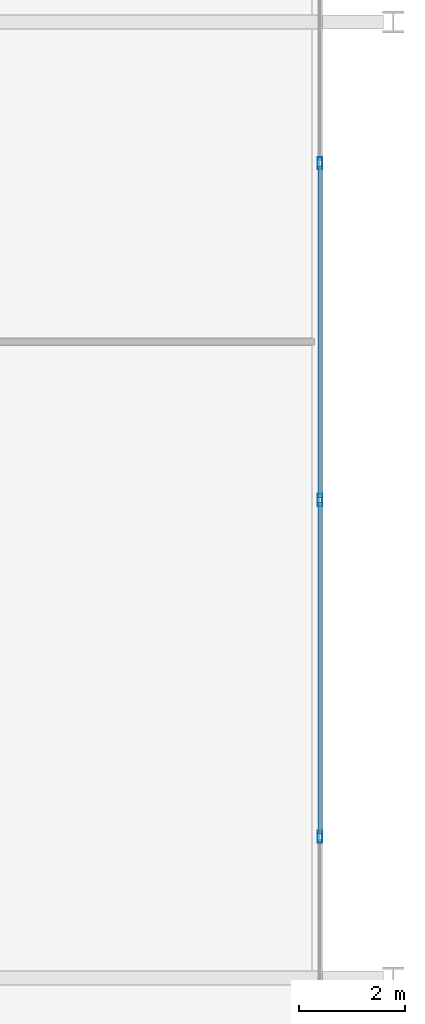
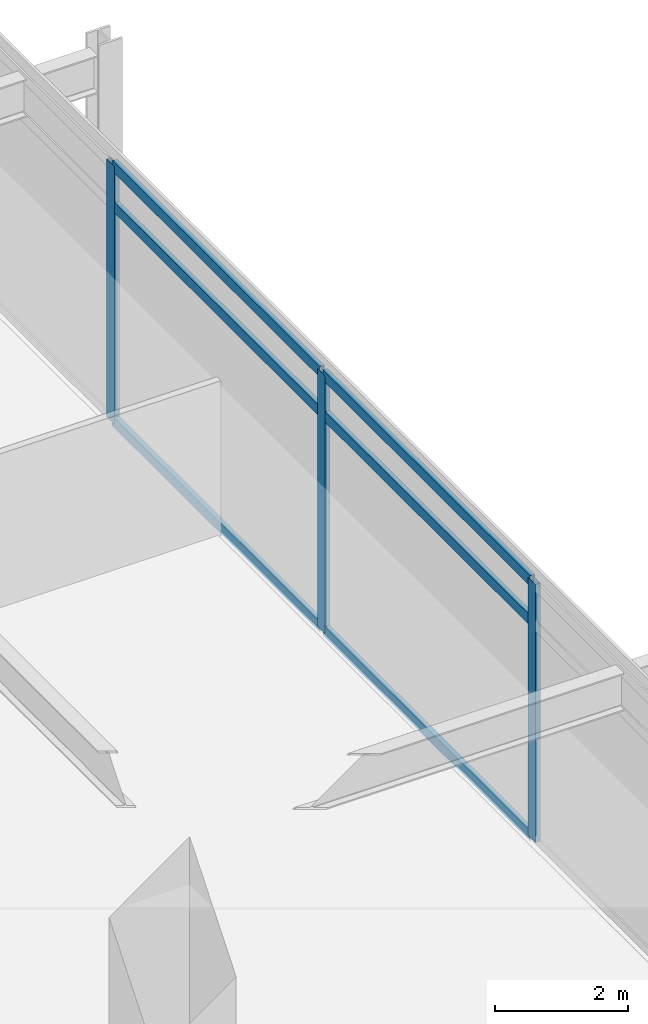
# One storey, part 9 of 21: 9 members, 1 element without a shape of its own.
"""IFC4 building model written with IfcOpenShell, lengths in metres."""

from ifc_helpers import new_model, si_unit, direction, frame, origin, origin_2d, place, context, subcontext, project, spatial, hollow_rectangle, extrude, material, material_profile, profile_set, type_object, element, aggregate, save


model = new_model("IFC4")

# Units and contexts
model_context = context("Model", 3, precision=1e-05, world=origin(), true_north=direction((0.0, 1.0)))
body_context = subcontext(model_context, "Body", "Model", "MODEL_VIEW")
ifc_project = project(units=[si_unit("LENGTHUNIT", "METRE"), si_unit("AREAUNIT", "SQUARE_METRE"), si_unit("VOLUMEUNIT", "CUBIC_METRE"), si_unit("PLANEANGLEUNIT", "RADIAN"), si_unit("MASSUNIT", "GRAM", prefix="KILO")], contexts=[model_context])

# Site, building, storey
site_placement = place(None, origin())
site = spatial("IfcSite", under=ifc_project, at=site_placement, CompositionType="ELEMENT")
building_placement = place(site_placement, origin())
building = spatial("IfcBuilding", under=site, at=building_placement, Name="Kovane Verandah Tower", CompositionType="ELEMENT")
storey_placement = place(building_placement, frame((0.0, 0.0, 238.199951171875)))
storey = spatial("IfcBuildingStorey", under=building, at=storey_placement, Name="L55", CompositionType="ELEMENT", Elevation=238.199951171875)

# Curtain wall, members
ifc_material_1 = material(Name="Champagne Anodised Aluminium Frame with Low-E Clear Laminated Glass", Category="aluminium")
curtain_wall_type = type_object("IfcCurtainWallType", Name="CW-SYS-03-MID", PredefinedType="NOTDEFINED", material=ifc_material_1)
curtain_wall_placement = place(storey_placement, origin())
curtain_wall = element("IfcCurtainWall", 1, at=curtain_wall_placement, inside=storey, type_object=curtain_wall_type, Name="L55 E Unitised Curtain Wall", PredefinedType="NOTDEFINED")
ifc_material_2 = material(Name="Champagne Anodised Aluminium 6063-T6", Category="aluminium")
ifc_material_profile_1 = material_profile(ifc_material_2, hollow_rectangle(XDim=0.0849609375, YDim=0.22998046875, WallThickness=0.00390625, at=origin_2d()), Name="AL85x230x4")
ifc_profile_set_1 = profile_set([ifc_material_profile_1], Name="Champagne Anodised Aluminium 6063-T6")
member_type_1 = type_object("IfcMemberType", Name="CW-MUL-85x230", PredefinedType="MULLION", material=ifc_profile_set_1)
member_1_placement = place(storey_placement, frame((66.220703125, 21.158935546875, 0.02001953125), z_axis=(0.0, 0.0, 1.0), x_axis=(1.0, 0.0, 0.0)))
member_1 = element("IfcMember", 2, at=member_1_placement, type_object=member_type_1, Name="L55 E Unitised Curtain Wall Mullion 3", PredefinedType="MULLION", context=body_context, shape_type="SweptSolid", body=[
    extrude(hollow_rectangle(XDim=0.0849609375, YDim=0.22998046875, WallThickness=0.00390625, at=origin_2d()), origin(), (0.0, 0.0, 1.0), 4.7451171875),
])
member_2_placement = place(storey_placement, frame((66.220703125, 27.5, 0.02001953125), z_axis=(0.0, 0.0, 1.0), x_axis=(1.0, 0.0, 0.0)))
member_2 = element("IfcMember", 3, at=member_2_placement, type_object=member_type_1, Name="L55 E Unitised Curtain Wall Mullion 4", PredefinedType="MULLION", context=body_context, shape_type="SweptSolid", body=[
    extrude(hollow_rectangle(XDim=0.0849609375, YDim=0.22998046875, WallThickness=0.00390625, at=origin_2d()), origin(), (0.0, 0.0, 1.0), 4.7451171875),
])
member_3_placement = place(storey_placement, frame((66.220703125, 33.841064453125, 0.02001953125), z_axis=(0.0, 0.0, 1.0), x_axis=(1.0, 0.0, 0.0)))
member_3 = element("IfcMember", 4, at=member_3_placement, type_object=member_type_1, Name="L55 E Unitised Curtain Wall Mullion 5", PredefinedType="MULLION", context=body_context, shape_type="SweptSolid", body=[
    extrude(hollow_rectangle(XDim=0.0849609375, YDim=0.22998046875, WallThickness=0.00390625, at=origin_2d()), origin(), (0.0, 0.0, 1.0), 4.7451171875),
])
ifc_material_profile_2 = material_profile(ifc_material_2, hollow_rectangle(XDim=0.0849609375, YDim=0.18994140625, WallThickness=0.00390625, at=origin_2d()), Name="AL85x190x4")
ifc_profile_set_2 = profile_set([ifc_material_profile_2], Name="Champagne Anodised Aluminium 6063-T6")
member_type_2 = type_object("IfcMemberType", Name="CW-TRN-85x190", PredefinedType="USERDEFINED", material=ifc_profile_set_2)
member_4_placement = place(storey_placement, frame((66.220703125, 21.208984375, 0.050048828125), z_axis=(0.0, 1.0, 0.0), x_axis=(-1.0, 0.0, 0.0)))
member_4 = element("IfcMember", 5, at=member_4_placement, type_object=member_type_2, Name="L55 E Unitised Curtain Wall Transom TB Bay 3", ObjectType="TRANSOM", PredefinedType="USERDEFINED", context=body_context, shape_type="SweptSolid", body=[
    extrude(hollow_rectangle(XDim=0.0849609375, YDim=0.18994140625, WallThickness=0.00390625, at=origin_2d()), origin(), (0.0, 0.0, 1.0), 6.240966796875),
])
member_5_placement = place(storey_placement, frame((66.220703125, 21.208984375, 4.005126953125), z_axis=(0.0, 1.0, 0.0), x_axis=(-1.0, 0.0, 0.0)))
member_5 = element("IfcMember", 6, at=member_5_placement, type_object=member_type_2, Name="L55 E Unitised Curtain Wall Transom TM Bay 3", ObjectType="TRANSOM", PredefinedType="USERDEFINED", context=body_context, shape_type="SweptSolid", body=[
    extrude(hollow_rectangle(XDim=0.0849609375, YDim=0.18994140625, WallThickness=0.00390625, at=origin_2d()), origin(), (0.0, 0.0, 1.0), 6.240966796875),
])
member_6_placement = place(storey_placement, frame((66.220703125, 21.208984375, 4.735107421875), z_axis=(0.0, 1.0, 0.0), x_axis=(-1.0, 0.0, 0.0)))
member_6 = element("IfcMember", 7, at=member_6_placement, type_object=member_type_2, Name="L55 E Unitised Curtain Wall Transom TT Bay 3", ObjectType="TRANSOM", PredefinedType="USERDEFINED", context=body_context, shape_type="SweptSolid", body=[
    extrude(hollow_rectangle(XDim=0.0849609375, YDim=0.18994140625, WallThickness=0.00390625, at=origin_2d()), origin(), (0.0, 0.0, 1.0), 6.240966796875),
])
member_7_placement = place(storey_placement, frame((66.220703125, 27.550048828125, 0.050048828125), z_axis=(0.0, 1.0, 0.0), x_axis=(-1.0, 0.0, 0.0)))
member_7 = element("IfcMember", 8, at=member_7_placement, type_object=member_type_2, Name="L55 E Unitised Curtain Wall Transom TB Bay 4", ObjectType="TRANSOM", PredefinedType="USERDEFINED", context=body_context, shape_type="SweptSolid", body=[
    extrude(hollow_rectangle(XDim=0.0849609375, YDim=0.18994140625, WallThickness=0.00390625, at=origin_2d()), origin(), (0.0, 0.0, 1.0), 6.240966796875),
])
member_8_placement = place(storey_placement, frame((66.220703125, 27.550048828125, 4.005126953125), z_axis=(0.0, 1.0, 0.0), x_axis=(-1.0, 0.0, 0.0)))
member_8 = element("IfcMember", 9, at=member_8_placement, type_object=member_type_2, Name="L55 E Unitised Curtain Wall Transom TM Bay 4", ObjectType="TRANSOM", PredefinedType="USERDEFINED", context=body_context, shape_type="SweptSolid", body=[
    extrude(hollow_rectangle(XDim=0.0849609375, YDim=0.18994140625, WallThickness=0.00390625, at=origin_2d()), origin(), (0.0, 0.0, 1.0), 6.240966796875),
])
member_9_placement = place(storey_placement, frame((66.220703125, 27.550048828125, 4.735107421875), z_axis=(0.0, 1.0, 0.0), x_axis=(-1.0, 0.0, 0.0)))
member_9 = element("IfcMember", 10, at=member_9_placement, type_object=member_type_2, Name="L55 E Unitised Curtain Wall Transom TT Bay 4", ObjectType="TRANSOM", PredefinedType="USERDEFINED", context=body_context, shape_type="SweptSolid", body=[
    extrude(hollow_rectangle(XDim=0.0849609375, YDim=0.18994140625, WallThickness=0.00390625, at=origin_2d()), origin(), (0.0, 0.0, 1.0), 6.240966796875),
])
aggregate(curtain_wall, [member_1, member_2, member_3, member_4, member_5, member_6, member_7, member_8, member_9])

save(model, "model.ifc")
